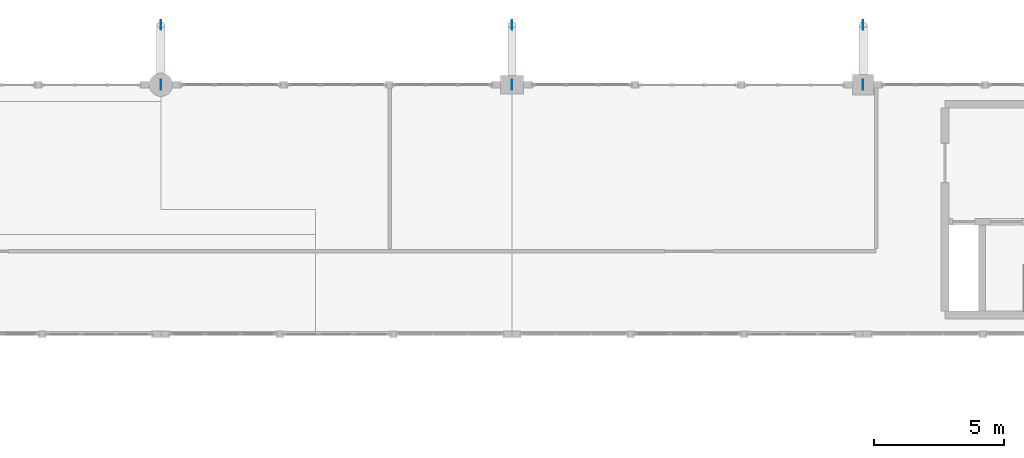
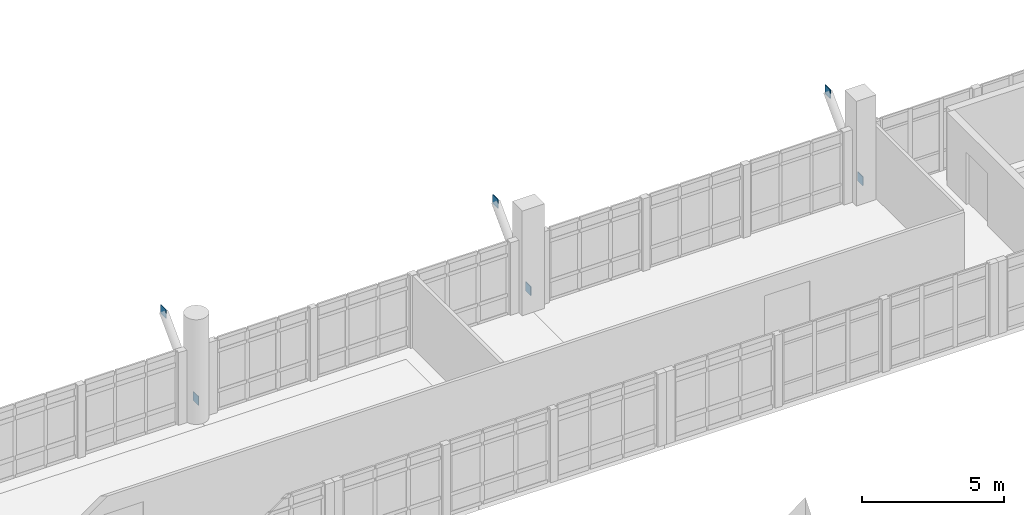
# One storey, part 32 of 37: 6 plates.
"""IFC4 building model written with IfcOpenShell, lengths in metres."""

from ifc_helpers import new_model, si_unit, direction, frame, origin, origin_2d, place, context, subcontext, project, spatial, rectangle, extrude, material, layer, layer_set, type_object, element, save


model = new_model("IFC4")

# Units and contexts
model_context = context("Model", 3, precision=1e-05, world=origin(), true_north=direction((0.0, 1.0)))
body_context = subcontext(model_context, "Body", "Model", "MODEL_VIEW")
ifc_project = project(units=[si_unit("LENGTHUNIT", "METRE"), si_unit("AREAUNIT", "SQUARE_METRE"), si_unit("VOLUMEUNIT", "CUBIC_METRE"), si_unit("PLANEANGLEUNIT", "RADIAN"), si_unit("MASSUNIT", "GRAM", prefix="KILO")], contexts=[model_context])

# Site, building, storey
site_placement = place(None, origin())
site = spatial("IfcSite", under=ifc_project, at=site_placement, CompositionType="ELEMENT")
building_placement = place(site_placement, origin())
building = spatial("IfcBuilding", under=site, at=building_placement, Name="Fikremerkos Civic Library", CompositionType="ELEMENT")
storey_placement = place(building_placement, frame((0.0, 0.0, 23.39990234375)))
storey = spatial("IfcBuildingStorey", under=building, at=storey_placement, Name="L05", CompositionType="ELEMENT", Elevation=23.39990234375)

# Plates
ifc_material = material(Name="Steel S355", Category="steel")
ifc_layer = layer(ifc_material, 0.02490234375, Name="Steel S355")
ifc_layer_set = layer_set([ifc_layer], Name="Steel S355")
plate_type = type_object("IfcPlateType", Name="Steel gusset cap plate GSP-02 380x380x25", PredefinedType="USERDEFINED", material=ifc_layer_set)
for number, where, z_axis, x_axis, name in (
    (1, (73.199951171875, 31.199951171875, 0.610107421875), (0.0, 0.0, 1.0), (1.0, 0.0, 0.0), "Steel gusset cap plate GSP-02 #23"),
    (2, (73.199951171875, 33.5, 2.960205078125), (0.0, 0.0, 1.0), (1.0, 0.0, 0.0), "Steel gusset cap plate GSP-02 #24"),
    (3, (86.699951171875, 31.199951171875, 0.610107421875), (0.0, 0.0, 1.0), (1.0, 0.0, 0.0), "Steel gusset cap plate GSP-02 #29"),
    (4, (86.699951171875, 33.5, 2.960205078125), (0.0, 0.0, 1.0), (1.0, 0.0, 0.0), "Steel gusset cap plate GSP-02 #30"),
    (5, (100.199951171875, 31.199951171875, 0.610107421875), (0.0, 0.0, 1.0), (1.0, 0.0, 0.0), "Steel gusset cap plate GSP-02 #35"),
    (6, (100.199951171875, 33.5, 2.960205078125), (0.0, 0.0, 1.0), (1.0, 0.0, 0.0), "Steel gusset cap plate GSP-02 #36"),
):
    element("IfcPlate", number, at=place(storey_placement, frame(where, z_axis=z_axis, x_axis=x_axis)), inside=storey, type_object=plate_type, Name=name, ObjectType="GUSSET PLATE", PredefinedType="USERDEFINED", context=body_context, shape_type="SweptSolid", body=[
        extrude(rectangle(XDim=0.02490234375, YDim=0.3798828125, at=origin_2d()), origin(), (0.0, 0.0, 1.0), 0.3798828125),
    ])

save(model, "model.ifc")
